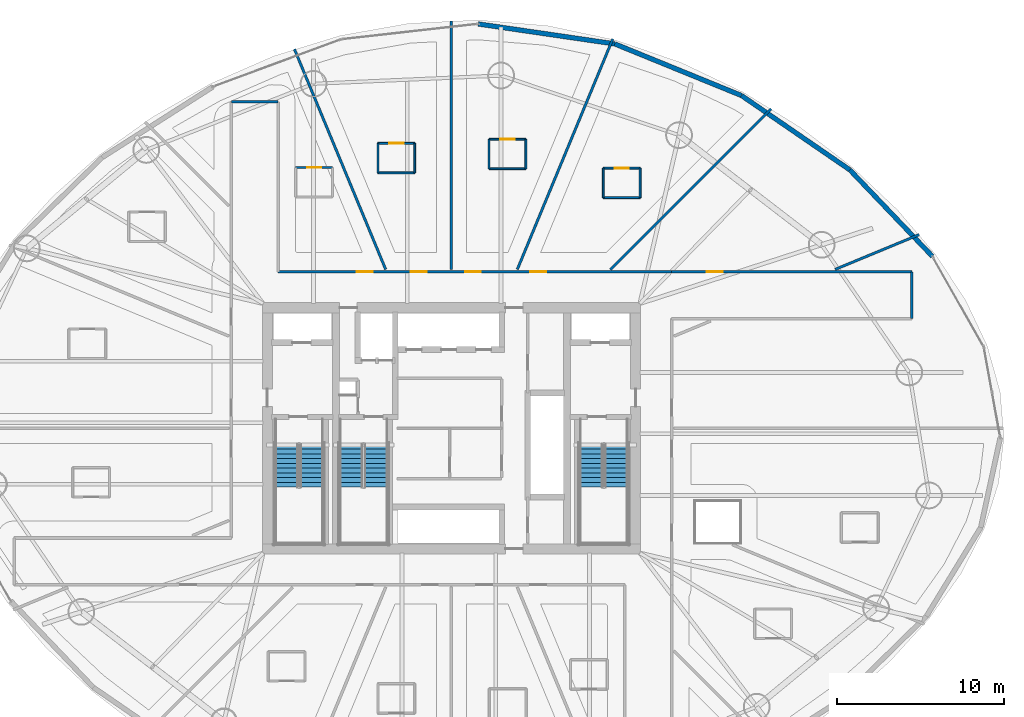
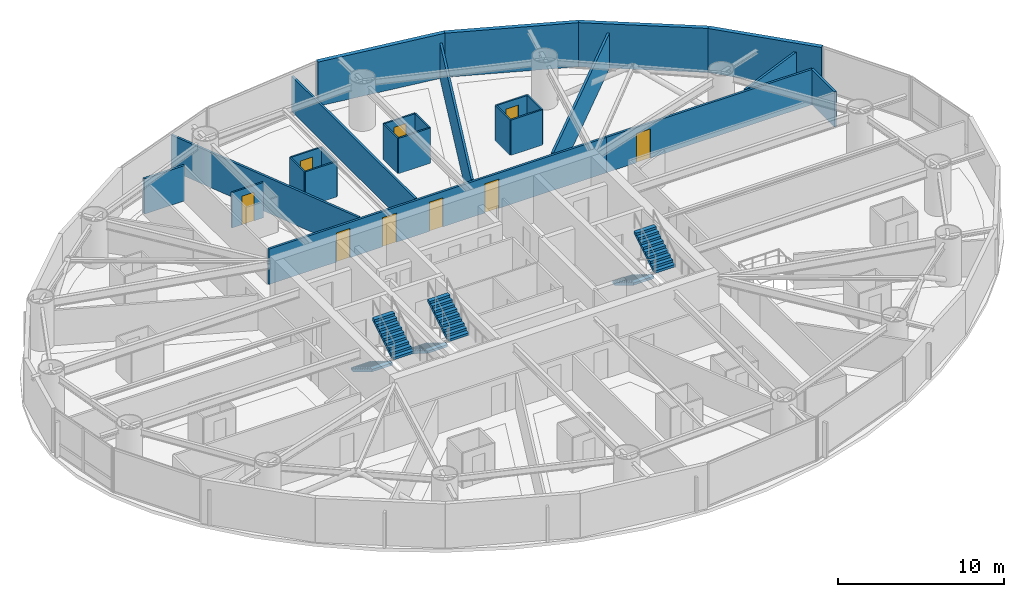
# One storey, part 22 of 27: 26 walls, 9 doors, 6 stair flights, 9 openings, 3 elements without a shape of their own.
"""IFC4 building model written with IfcOpenShell, lengths in metres."""

from ifc_helpers import new_model, si_unit, direction, frame, frame_2d, origin, place, context, subcontext, project, spatial, polyline, rectangle, outline, extrude, material, layer, layer_set, type_object, element, fill, aggregate, save


model = new_model("IFC4")

# Units and contexts
model_context = context("Model", 3, precision=1e-05, world=origin(), true_north=direction((0.0, 1.0)))
body_context = subcontext(model_context, "Body", "Model", "MODEL_VIEW")
ifc_project = project(units=[si_unit("LENGTHUNIT", "METRE"), si_unit("AREAUNIT", "SQUARE_METRE"), si_unit("VOLUMEUNIT", "CUBIC_METRE"), si_unit("PLANEANGLEUNIT", "RADIAN"), si_unit("MASSUNIT", "GRAM", prefix="KILO")], contexts=[model_context])

# Site, building, storey
site_placement = place(None, origin())
site = spatial("IfcSite", under=ifc_project, at=site_placement, CompositionType="ELEMENT")
building_placement = place(site_placement, origin())
building = spatial("IfcBuilding", under=site, at=building_placement, Name="Bramvorn Convention Spire", CompositionType="ELEMENT")
storey_placement = place(building_placement, frame((0.0, 0.0, 41.39990234375)))
storey = spatial("IfcBuildingStorey", under=building, at=storey_placement, Name="L07", CompositionType="ELEMENT", Elevation=41.39990234375)

# Walls
ifc_material_1 = material(Name="Precast Concrete C40/50 with Bronze Terracotta Rainscreen", Category="masonry")
ifc_layer_1 = layer(ifc_material_1, 0.300048828125)
ifc_layer_set_1 = layer_set([ifc_layer_1], Name="Precast Concrete C40/50 with Bronze Terracotta Rainscreen - WL-EXT-BRONZE-300")
wall_type_1 = type_object("IfcWallType", Name="WL-EXT-BRONZE-300", PredefinedType="SOLIDWALL", material=ifc_layer_set_1)
wall_1_placement = place(storey_placement, frame((61.78955078125, 41.4326171875, 0.0), z_axis=(0.0, 0.0, 1.0), x_axis=(0.690737462513, -0.723105633971, 0.0)))
element("IfcWall", 1, at=wall_1_placement, inside=storey, type_object=wall_type_1, Name="L07 expressed bronze Gothic lancet pier wall 03", PredefinedType="SOLIDWALL", context=body_context, shape_type="SweptSolid", body=[
    extrude(rectangle(XDim=7.142822265625, YDim=0.280029296875, at=frame_2d((3.5712890625, 0.0))), origin(), (0.0, 0.0, 1.0), 3.25),
])
wall_2_placement = place(storey_placement, frame((55.322021484375, 45.87255859375, 0.0), z_axis=(0.0, 0.0, 1.0), x_axis=(0.8244276505, -0.565967356913, 0.0)))
element("IfcWall", 2, at=wall_2_placement, inside=storey, type_object=wall_type_1, Name="L07 expressed bronze Gothic lancet pier wall 04", PredefinedType="SOLIDWALL", context=body_context, shape_type="SweptSolid", body=[
    extrude(rectangle(XDim=7.844970703125, YDim=0.280029296875, at=frame_2d((3.92236328125, 0.0))), origin(), (0.0, 0.0, 1.0), 3.25),
])
wall_3_placement = place(storey_placement, frame((47.755615234375, 48.95654296875, 0.0), z_axis=(0.0, 0.0, 1.0), x_axis=(0.926033573284, -0.377441149255, 0.0)))
element("IfcWall", 3, at=wall_3_placement, inside=storey, type_object=wall_type_1, Name="L07 expressed bronze Gothic lancet pier wall 05", PredefinedType="SOLIDWALL", context=body_context, shape_type="SweptSolid", body=[
    extrude(rectangle(XDim=8.170654296875, YDim=0.280029296875, at=frame_2d((4.08544921875, 0.0))), origin(), (0.0, 0.0, 1.0), 3.25),
])
wall_4_placement = place(storey_placement, frame((39.6005859375, 50.147216796875, 0.0), z_axis=(0.0, 0.0, 1.0), x_axis=(0.989508732112, -0.144473073871, 0.0)))
element("IfcWall", 4, at=wall_4_placement, inside=storey, type_object=wall_type_1, Name="L07 expressed bronze Gothic lancet pier wall 06", PredefinedType="SOLIDWALL", context=body_context, shape_type="SweptSolid", body=[
    extrude(rectangle(XDim=8.241455078125, YDim=0.280029296875, at=frame_2d((4.12060546875, 0.0))), origin(), (0.0, 0.0, 1.0), 3.25),
])
ifc_material_2 = material(Name="Lightweight En-Suite & Wet-Wall Partition", Category="gypsum")
ifc_layer_2 = layer(ifc_material_2, 0.110107421875)
ifc_layer_set_2 = layer_set([ifc_layer_2], Name="Lightweight En-Suite & Wet-Wall Partition - WL-PART-110")
wall_type_2 = type_object("IfcWallType", Name="WL-PART-110", PredefinedType="PARTITIONING", material=ifc_layer_set_2)
wall_5_placement = place(storey_placement, frame((47.0654296875, 39.777587890625, 0.0), z_axis=(0.0, 0.0, 1.0), x_axis=(1.0, 0.0, 0.0)))
element("IfcWall", 5, at=wall_5_placement, inside=storey, type_object=wall_type_2, Name="Hotel Suite 0703 en-suite south wall", PredefinedType="PARTITIONING", context=body_context, shape_type="SweptSolid", body=[
    extrude(rectangle(XDim=2.199951171875, YDim=0.110107421875, at=frame_2d((1.10009765625, 0.0))), origin(), (0.0, 0.0, 1.0), 2.60009765625),
])

# Wall, opening, door
wall_6_placement = place(storey_placement, frame((47.0654296875, 41.53759765625, 0.0), z_axis=(0.0, 0.0, 1.0), x_axis=(1.0, 0.0, 0.0)))
wall_6 = element("IfcWall", 6, at=wall_6_placement, inside=storey, type_object=wall_type_2, Name="Hotel Suite 0703 en-suite north wall", PredefinedType="PARTITIONING", context=body_context, shape_type="SweptSolid", body=[
    extrude(rectangle(XDim=2.199951171875, YDim=0.110107421875, at=frame_2d((1.10009765625, 0.0))), origin(), (0.0, 0.0, 1.0), 2.60009765625),
])
opening_1_placement = place(wall_6_placement, frame((0.679931640625, 0.0, 0.0)))
opening_1 = element("IfcOpeningElement", 7, at=opening_1_placement, cuts=wall_6, Name="Opening DI-085", PredefinedType="OPENING", context=body_context, shape_type="SweptSolid", body=[
    extrude(rectangle(XDim=0.85009765625, YDim=2.10009765625, at=frame_2d((0.425048828125, 1.050048828125))), frame((0.0, 0.06494140625, 0.0), z_axis=(0.0, -1.0, 0.0), x_axis=(1.0, 0.0, 0.0)), (0.0, 0.0, 1.0), 0.130126953125),
])
ifc_material_3 = material(Name="En-Suite & Restroom Privacy Door", Category="wood")
door_type_1 = type_object("IfcDoorType", Name="DR-INT-850", OperationType="NOTDEFINED", PredefinedType="DOOR", material=ifc_material_3)
door_1_placement = place(opening_1_placement, origin())
door_1 = element("IfcDoor", 8, at=door_1_placement, inside=storey, type_object=door_type_1, Name="Hotel Suite 0703 En-Suite Bathroom door", OperationType="SINGLE_SWING_LEFT", OverallHeight=2.10009765625, OverallWidth=0.85009765625, PredefinedType="DOOR", context=body_context, shape_type="SweptSolid", body=[
    extrude(rectangle(XDim=0.85009765625, YDim=2.10009765625, at=frame_2d((0.425048828125, 1.050048828125))), frame((0.0, 0.02490234375, 0.0), z_axis=(0.0, -1.0, 0.0), x_axis=(1.0, 0.0, 0.0)), (0.0, 0.0, 1.0), 0.050048828125),
])
fill(opening_1, door_1)

# Walls
for number, where, z_axis, x_axis, name in (
    (9, (47.0654296875, 39.777587890625, 0.0), (0.0, 0.0, 1.0), (0.0, 1.0, 0.0), "Hotel Suite 0703 en-suite west wall"),
    (10, (49.265380859375, 39.777587890625, 0.0), (0.0, 0.0, 1.0), (0.0, 1.0, 0.0), "Hotel Suite 0703 en-suite east wall"),
):
    element("IfcWall", number, at=place(storey_placement, frame(where, z_axis=z_axis, x_axis=x_axis)), inside=storey, type_object=wall_type_2, Name=name, PredefinedType="PARTITIONING", context=body_context, shape_type="SweptSolid", body=[
        extrude(rectangle(XDim=1.760009765625, YDim=0.110107421875, at=frame_2d((0.8798828125, 0.0))), origin(), (0.0, 0.0, 1.0), 2.60009765625),
    ])
wall_7_placement = place(storey_placement, frame((40.242919921875, 41.499755859375, 0.0), z_axis=(0.0, 0.0, 1.0), x_axis=(1.0, 0.0, 0.0)))
element("IfcWall", 11, at=wall_7_placement, inside=storey, type_object=wall_type_2, Name="Hotel Suite 0704 en-suite south wall", PredefinedType="PARTITIONING", context=body_context, shape_type="SweptSolid", body=[
    extrude(rectangle(XDim=2.199951171875, YDim=0.110107421875, at=frame_2d((1.10009765625, 0.0))), origin(), (0.0, 0.0, 1.0), 2.60009765625),
])

# Wall, opening, door
wall_8_placement = place(storey_placement, frame((40.242919921875, 43.259765625, 0.0), z_axis=(0.0, 0.0, 1.0), x_axis=(1.0, 0.0, 0.0)))
wall_8 = element("IfcWall", 12, at=wall_8_placement, inside=storey, type_object=wall_type_2, Name="Hotel Suite 0704 en-suite north wall", PredefinedType="PARTITIONING", context=body_context, shape_type="SweptSolid", body=[
    extrude(rectangle(XDim=2.199951171875, YDim=0.110107421875, at=frame_2d((1.10009765625, 0.0))), origin(), (0.0, 0.0, 1.0), 2.60009765625),
])
opening_2_placement = place(wall_8_placement, frame((0.679931640625, 0.0, 0.0)))
opening_2 = element("IfcOpeningElement", 13, at=opening_2_placement, cuts=wall_8, Name="Opening DI-085", PredefinedType="OPENING", context=body_context, shape_type="SweptSolid", body=[
    extrude(rectangle(XDim=0.85009765625, YDim=2.10009765625, at=frame_2d((0.425048828125, 1.050048828125))), frame((0.0, 0.06494140625, 0.0), z_axis=(0.0, -1.0, 0.0), x_axis=(1.0, 0.0, 0.0)), (0.0, 0.0, 1.0), 0.130126953125),
])
door_2_placement = place(opening_2_placement, origin())
door_2 = element("IfcDoor", 14, at=door_2_placement, inside=storey, type_object=door_type_1, Name="Hotel Suite 0704 En-Suite Bathroom door", OperationType="SINGLE_SWING_LEFT", OverallHeight=2.10009765625, OverallWidth=0.85009765625, PredefinedType="DOOR", context=body_context, shape_type="SweptSolid", body=[
    extrude(rectangle(XDim=0.85009765625, YDim=2.10009765625, at=frame_2d((0.425048828125, 1.050048828125))), frame((0.0, 0.02490234375, 0.0), z_axis=(0.0, -1.0, 0.0), x_axis=(1.0, 0.0, 0.0)), (0.0, 0.0, 1.0), 0.050048828125),
])
fill(opening_2, door_2)

# Walls
for number, where, z_axis, x_axis, name in (
    (15, (40.242919921875, 41.499755859375, 0.0), (0.0, 0.0, 1.0), (0.0, 1.0, 0.0), "Hotel Suite 0704 en-suite west wall"),
    (16, (42.44287109375, 41.499755859375, 0.0), (0.0, 0.0, 1.0), (0.0, 1.0, 0.0), "Hotel Suite 0704 en-suite east wall"),
):
    element("IfcWall", number, at=place(storey_placement, frame(where, z_axis=z_axis, x_axis=x_axis)), inside=storey, type_object=wall_type_2, Name=name, PredefinedType="PARTITIONING", context=body_context, shape_type="SweptSolid", body=[
        extrude(rectangle(XDim=1.760009765625, YDim=0.110107421875, at=frame_2d((0.8798828125, 0.0))), origin(), (0.0, 0.0, 1.0), 2.60009765625),
    ])
wall_9_placement = place(storey_placement, frame((33.607421875, 41.2568359375, 0.0), z_axis=(0.0, 0.0, 1.0), x_axis=(1.0, 0.0, 0.0)))
element("IfcWall", 17, at=wall_9_placement, inside=storey, type_object=wall_type_2, Name="Hotel Suite 0705 en-suite south wall", PredefinedType="PARTITIONING", context=body_context, shape_type="SweptSolid", body=[
    extrude(rectangle(XDim=2.199951171875, YDim=0.110107421875, at=frame_2d((1.10009765625, 0.0))), origin(), (0.0, 0.0, 1.0), 2.60009765625),
])

# Wall, opening, door
wall_10_placement = place(storey_placement, frame((33.607421875, 43.016845703125, 0.0), z_axis=(0.0, 0.0, 1.0), x_axis=(1.0, 0.0, 0.0)))
wall_10 = element("IfcWall", 18, at=wall_10_placement, inside=storey, type_object=wall_type_2, Name="Hotel Suite 0705 en-suite north wall", PredefinedType="PARTITIONING", context=body_context, shape_type="SweptSolid", body=[
    extrude(rectangle(XDim=2.199951171875, YDim=0.110107421875, at=frame_2d((1.10009765625, 0.0))), origin(), (0.0, 0.0, 1.0), 2.60009765625),
])
opening_3_placement = place(wall_10_placement, frame((0.679931640625, 0.0, 0.0)))
opening_3 = element("IfcOpeningElement", 19, at=opening_3_placement, cuts=wall_10, Name="Opening DI-085", PredefinedType="OPENING", context=body_context, shape_type="SweptSolid", body=[
    extrude(rectangle(XDim=0.85009765625, YDim=2.10009765625, at=frame_2d((0.425048828125, 1.050048828125))), frame((0.0, 0.06494140625, 0.0), z_axis=(0.0, -1.0, 0.0), x_axis=(1.0, 0.0, 0.0)), (0.0, 0.0, 1.0), 0.130126953125),
])
door_3_placement = place(opening_3_placement, origin())
door_3 = element("IfcDoor", 20, at=door_3_placement, inside=storey, type_object=door_type_1, Name="Hotel Suite 0705 En-Suite Bathroom door", OperationType="SINGLE_SWING_LEFT", OverallHeight=2.10009765625, OverallWidth=0.85009765625, PredefinedType="DOOR", context=body_context, shape_type="SweptSolid", body=[
    extrude(rectangle(XDim=0.85009765625, YDim=2.10009765625, at=frame_2d((0.425048828125, 1.050048828125))), frame((0.0, 0.02490234375, 0.0), z_axis=(0.0, -1.0, 0.0), x_axis=(1.0, 0.0, 0.0)), (0.0, 0.0, 1.0), 0.050048828125),
])
fill(opening_3, door_3)

# Walls
for number, where, z_axis, x_axis, name in (
    (21, (33.607421875, 41.2568359375, 0.0), (0.0, 0.0, 1.0), (0.0, 1.0, 0.0), "Hotel Suite 0705 en-suite west wall"),
    (22, (35.807373046875, 41.2568359375, 0.0), (0.0, 0.0, 1.0), (0.0, 1.0, 0.0), "Hotel Suite 0705 en-suite east wall"),
):
    element("IfcWall", number, at=place(storey_placement, frame(where, z_axis=z_axis, x_axis=x_axis)), inside=storey, type_object=wall_type_2, Name=name, PredefinedType="PARTITIONING", context=body_context, shape_type="SweptSolid", body=[
        extrude(rectangle(XDim=1.760009765625, YDim=0.110107421875, at=frame_2d((0.8798828125, 0.0))), origin(), (0.0, 0.0, 1.0), 2.60009765625),
    ])

# Wall, opening, door
wall_11_placement = place(storey_placement, frame((28.69189453125, 41.57568359375, 0.0), z_axis=(0.0, 0.0, 1.0), x_axis=(1.0, 0.0, 0.0)))
wall_11 = element("IfcWall", 23, at=wall_11_placement, inside=storey, type_object=wall_type_2, Name="Hotel Suite 0706 en-suite north wall", PredefinedType="PARTITIONING", context=body_context, shape_type="SweptSolid", body=[
    extrude(rectangle(XDim=2.2001953125, YDim=0.110107421875, at=frame_2d((1.10009765625, 0.0))), origin(), (0.0, 0.0, 1.0), 2.60009765625),
])
opening_4_placement = place(wall_11_placement, frame((0.679931640625, 0.0, 0.0)))
opening_4 = element("IfcOpeningElement", 24, at=opening_4_placement, cuts=wall_11, Name="Opening DI-085", PredefinedType="OPENING", context=body_context, shape_type="SweptSolid", body=[
    extrude(rectangle(XDim=0.85009765625, YDim=2.10009765625, at=frame_2d((0.425048828125, 1.050048828125))), frame((0.0, 0.06494140625, 0.0), z_axis=(0.0, -1.0, 0.0), x_axis=(1.0, 0.0, 0.0)), (0.0, 0.0, 1.0), 0.130126953125),
])
door_4_placement = place(opening_4_placement, origin())
door_4 = element("IfcDoor", 25, at=door_4_placement, inside=storey, type_object=door_type_1, Name="Hotel Suite 0706 En-Suite Bathroom door", OperationType="SINGLE_SWING_LEFT", OverallHeight=2.10009765625, OverallWidth=0.85009765625, PredefinedType="DOOR", context=body_context, shape_type="SweptSolid", body=[
    extrude(rectangle(XDim=0.85009765625, YDim=2.10009765625, at=frame_2d((0.425048828125, 1.050048828125))), frame((0.0, 0.02490234375, 0.0), z_axis=(0.0, -1.0, 0.0), x_axis=(1.0, 0.0, 0.0)), (0.0, 0.0, 1.0), 0.050048828125),
])
fill(opening_4, door_4)

# Wall, openings, doors
ifc_material_4 = material(Name="Acoustic Metal-Stud Tenant/Corridor Partition", Category="gypsum")
ifc_layer_3 = layer(ifc_material_4, 0.14990234375)
ifc_layer_set_3 = layer_set([ifc_layer_3], Name="Acoustic Metal-Stud Tenant/Corridor Partition - WL-PART-150")
wall_type_3 = type_object("IfcWallType", Name="WL-PART-150", PredefinedType="PARTITIONING", material=ifc_layer_set_3)
wall_12_placement = place(storey_placement, frame((27.64990234375, 35.35009765625, 0.0), z_axis=(0.0, 0.0, 1.0), x_axis=(1.0, 0.0, 0.0)))
wall_12 = element("IfcWall", 26, at=wall_12_placement, inside=storey, type_object=wall_type_3, Name="L07 North ring corridor wall", PredefinedType="PARTITIONING", context=body_context, shape_type="SweptSolid", body=[
    extrude(rectangle(XDim=23.5, YDim=0.14990234375, at=frame_2d((11.75, 0.0))), origin(), (0.0, 0.0, 1.0), 2.60009765625),
])
opening_5_placement = place(wall_12_placement, frame((15.045166015625, 0.0, 0.0)))
opening_5 = element("IfcOpeningElement", 27, at=opening_5_placement, cuts=wall_12, Name="Opening DH-095", PredefinedType="OPENING", context=body_context, shape_type="SweptSolid", body=[
    extrude(rectangle(XDim=0.949951171875, YDim=2.14990234375, at=frame_2d((0.47509765625, 1.074951171875))), frame((0.0, 0.0849609375, 0.0), z_axis=(0.0, -1.0, 0.0), x_axis=(1.0, 0.0, 0.0)), (0.0, 0.0, 1.0), 0.169921875),
])
opening_6_placement = place(wall_12_placement, frame((11.158935546875, 0.0, 0.0)))
opening_6 = element("IfcOpeningElement", 28, at=opening_6_placement, cuts=wall_12, Name="Opening DH-095", PredefinedType="OPENING", context=body_context, shape_type="SweptSolid", body=[
    extrude(rectangle(XDim=0.949951171875, YDim=2.14990234375, at=frame_2d((0.47509765625, 1.074951171875))), frame((0.0, 0.0849609375, 0.0), z_axis=(0.0, -1.0, 0.0), x_axis=(1.0, 0.0, 0.0)), (0.0, 0.0, 1.0), 0.169921875),
])
opening_7_placement = place(wall_12_placement, frame((7.91357421875, 0.0, 0.0)))
opening_7 = element("IfcOpeningElement", 29, at=opening_7_placement, cuts=wall_12, Name="Opening DH-095", PredefinedType="OPENING", context=body_context, shape_type="SweptSolid", body=[
    extrude(rectangle(XDim=0.949951171875, YDim=2.14990234375, at=frame_2d((0.47509765625, 1.074951171875))), frame((0.0, 0.0849609375, 0.0), z_axis=(0.0, -1.0, 0.0), x_axis=(1.0, 0.0, 0.0)), (0.0, 0.0, 1.0), 0.169921875),
])
opening_8_placement = place(wall_12_placement, frame((4.704833984375, 0.0, 0.0)))
opening_8 = element("IfcOpeningElement", 30, at=opening_8_placement, cuts=wall_12, Name="Opening DH-095", PredefinedType="OPENING", context=body_context, shape_type="SweptSolid", body=[
    extrude(rectangle(XDim=0.949951171875, YDim=2.14990234375, at=frame_2d((0.47509765625, 1.074951171875))), frame((0.0, 0.0849609375, 0.0), z_axis=(0.0, -1.0, 0.0), x_axis=(1.0, 0.0, 0.0)), (0.0, 0.0, 1.0), 0.169921875),
])
ifc_material_5 = material(Name="Solid-Core Acoustic Guestroom Entry Door", Category="wood")
door_type_2 = type_object("IfcDoorType", Name="DR-HOTEL-950", OperationType="NOTDEFINED", PredefinedType="DOOR", material=ifc_material_5)
door_5_placement = place(opening_5_placement, origin())
door_5 = element("IfcDoor", 31, at=door_5_placement, inside=storey, type_object=door_type_2, Name="Hotel Suite 0703 entry door", OperationType="SINGLE_SWING_RIGHT", OverallHeight=2.14990234375, OverallWidth=0.949951171875, PredefinedType="DOOR", context=body_context, shape_type="SweptSolid", body=[
    extrude(rectangle(XDim=0.949951171875, YDim=2.14990234375, at=frame_2d((0.47509765625, 1.074951171875))), frame((0.0, 0.02490234375, 0.0), z_axis=(0.0, -1.0, 0.0), x_axis=(1.0, 0.0, 0.0)), (0.0, 0.0, 1.0), 0.050048828125),
])
fill(opening_5, door_5)
door_6_placement = place(opening_6_placement, origin())
door_6 = element("IfcDoor", 32, at=door_6_placement, inside=storey, type_object=door_type_2, Name="Hotel Suite 0704 entry door", OperationType="SINGLE_SWING_RIGHT", OverallHeight=2.14990234375, OverallWidth=0.949951171875, PredefinedType="DOOR", context=body_context, shape_type="SweptSolid", body=[
    extrude(rectangle(XDim=0.949951171875, YDim=2.14990234375, at=frame_2d((0.47509765625, 1.074951171875))), frame((0.0, 0.02490234375, 0.0), z_axis=(0.0, -1.0, 0.0), x_axis=(1.0, 0.0, 0.0)), (0.0, 0.0, 1.0), 0.050048828125),
])
fill(opening_6, door_6)
door_7_placement = place(opening_7_placement, origin())
door_7 = element("IfcDoor", 33, at=door_7_placement, inside=storey, type_object=door_type_2, Name="Hotel Suite 0705 entry door", OperationType="SINGLE_SWING_LEFT", OverallHeight=2.14990234375, OverallWidth=0.949951171875, PredefinedType="DOOR", context=body_context, shape_type="SweptSolid", body=[
    extrude(rectangle(XDim=0.949951171875, YDim=2.14990234375, at=frame_2d((0.47509765625, 1.074951171875))), frame((0.0, 0.02490234375, 0.0), z_axis=(0.0, -1.0, 0.0), x_axis=(1.0, 0.0, 0.0)), (0.0, 0.0, 1.0), 0.050048828125),
])
fill(opening_7, door_7)
door_8_placement = place(opening_8_placement, origin())
door_8 = element("IfcDoor", 34, at=door_8_placement, inside=storey, type_object=door_type_2, Name="Hotel Suite 0706 entry door", OperationType="SINGLE_SWING_RIGHT", OverallHeight=2.14990234375, OverallWidth=0.949951171875, PredefinedType="DOOR", context=body_context, shape_type="SweptSolid", body=[
    extrude(rectangle(XDim=0.949951171875, YDim=2.14990234375, at=frame_2d((0.47509765625, 1.074951171875))), frame((0.0, 0.02490234375, 0.0), z_axis=(0.0, -1.0, 0.0), x_axis=(1.0, 0.0, 0.0)), (0.0, 0.0, 1.0), 0.050048828125),
])
fill(opening_8, door_8)

# Wall, opening, door
wall_13_placement = place(storey_placement, frame((51.14990234375, 35.35009765625, 0.0), z_axis=(0.0, 0.0, 1.0), x_axis=(1.0, 0.0, 0.0)))
wall_13 = element("IfcWall", 35, at=wall_13_placement, inside=storey, type_object=wall_type_3, Name="L07 NE pinwheel wing north wall", PredefinedType="PARTITIONING", context=body_context, shape_type="SweptSolid", body=[
    extrude(rectangle(XDim=14.35009765625, YDim=0.14990234375, at=frame_2d((7.175048828125, 0.0))), origin(), (0.0, 0.0, 1.0), 2.60009765625),
])
opening_9_placement = place(wall_13_placement, frame((2.08984375, 0.0, 0.0)))
opening_9 = element("IfcOpeningElement", 36, at=opening_9_placement, cuts=wall_13, Name="Opening DH-095", PredefinedType="OPENING", context=body_context, shape_type="SweptSolid", body=[
    extrude(rectangle(XDim=0.949951171875, YDim=2.14990234375, at=frame_2d((0.47509765625, 1.074951171875))), frame((0.0, 0.0849609375, 0.0), z_axis=(0.0, -1.0, 0.0), x_axis=(1.0, 0.0, 0.0)), (0.0, 0.0, 1.0), 0.169921875),
])
door_9_placement = place(opening_9_placement, origin())
door_9 = element("IfcDoor", 37, at=door_9_placement, inside=storey, type_object=door_type_2, Name="L07 Hospitality Lounge 2 door", OperationType="SINGLE_SWING_LEFT", OverallHeight=2.14990234375, OverallWidth=0.949951171875, PredefinedType="DOOR", context=body_context, shape_type="SweptSolid", body=[
    extrude(rectangle(XDim=0.949951171875, YDim=2.14990234375, at=frame_2d((0.47509765625, 1.074951171875))), frame((0.0, 0.02490234375, 0.0), z_axis=(0.0, -1.0, 0.0), x_axis=(1.0, 0.0, 0.0)), (0.0, 0.0, 1.0), 0.050048828125),
])
fill(opening_9, door_9)

# Walls
wall_14_placement = place(storey_placement, frame((65.5, 32.550048828125, 0.0), z_axis=(0.0, 0.0, 1.0), x_axis=(0.0, 1.0, 0.0)))
element("IfcWall", 38, at=wall_14_placement, inside=storey, type_object=wall_type_3, Name="L07 NE pinwheel end wall", PredefinedType="PARTITIONING", context=body_context, shape_type="SweptSolid", body=[
    extrude(rectangle(XDim=2.800048828125, YDim=0.14990234375, at=frame_2d((1.39990234375, 0.0))), origin(), (0.0, 0.0, 1.0), 2.60009765625),
])
wall_15_placement = place(storey_placement, frame((24.85009765625, 45.5, 0.0), z_axis=(0.0, 0.0, 1.0), x_axis=(1.0, 0.0, 0.0)))
element("IfcWall", 39, at=wall_15_placement, inside=storey, type_object=wall_type_3, Name="L07 NW pinwheel end wall", PredefinedType="PARTITIONING", context=body_context, shape_type="SweptSolid", body=[
    extrude(rectangle(XDim=2.7998046875, YDim=0.14990234375, at=frame_2d((1.39990234375, 0.0))), origin(), (0.0, 0.0, 1.0), 2.60009765625),
])
wall_16_placement = place(storey_placement, frame((60.910888671875, 35.489990234375, 0.0), z_axis=(0.0, 0.0, 1.0), x_axis=(0.923872299408, 0.382700894154, 0.0)))
element("IfcWall", 40, at=wall_16_placement, inside=storey, type_object=wall_type_3, Name="L07 Guestroom demising wall 2", PredefinedType="PARTITIONING", context=body_context, shape_type="SweptSolid", body=[
    extrude(rectangle(XDim=5.435302734375, YDim=0.14990234375, at=frame_2d((2.7177734375, 0.0))), origin(), (0.0, 0.0, 1.0), 2.60009765625),
])
wall_17_placement = place(storey_placement, frame((47.489990234375, 35.489990234375, 0.0), z_axis=(0.0, 0.0, 1.0), x_axis=(0.707106781187, 0.707106781187, 0.0)))
element("IfcWall", 41, at=wall_17_placement, inside=storey, type_object=wall_type_3, Name="L07 Guestroom demising wall 3", PredefinedType="PARTITIONING", context=body_context, shape_type="SweptSolid", body=[
    extrude(rectangle(XDim=13.5712890625, YDim=0.14990234375, at=frame_2d((6.78564453125, 0.0))), origin(), (0.0, 0.0, 1.0), 2.60009765625),
])
wall_18_placement = place(storey_placement, frame((41.930908203125, 35.489990234375, 0.0), z_axis=(0.0, 0.0, 1.0), x_axis=(0.382684181613, 0.923879222162, 0.0)))
element("IfcWall", 42, at=wall_18_placement, inside=storey, type_object=wall_type_3, Name="L07 Guestroom demising wall 4", PredefinedType="PARTITIONING", context=body_context, shape_type="SweptSolid", body=[
    extrude(rectangle(XDim=14.8984375, YDim=0.14990234375, at=frame_2d((7.44921875, 0.0))), origin(), (0.0, 0.0, 1.0), 2.60009765625),
])
wall_19_placement = place(storey_placement, frame((38.0, 35.489990234375, 0.0), z_axis=(0.0, 0.0, 1.0), x_axis=(0.0, 1.0, 0.0)))
element("IfcWall", 43, at=wall_19_placement, inside=storey, type_object=wall_type_3, Name="L07 Guestroom demising wall 5", PredefinedType="PARTITIONING", context=body_context, shape_type="SweptSolid", body=[
    extrude(rectangle(XDim=14.849365234375, YDim=0.14990234375, at=frame_2d((7.4248046875, 0.0))), origin(), (0.0, 0.0, 1.0), 2.60009765625),
])
wall_20_placement = place(storey_placement, frame((34.069091796875, 35.489990234375, 0.0), z_axis=(0.0, 0.0, 1.0), x_axis=(-0.38268890868, 0.923877264128, 0.0)))
element("IfcWall", 44, at=wall_20_placement, inside=storey, type_object=wall_type_3, Name="L07 Guestroom demising wall 6", PredefinedType="PARTITIONING", context=body_context, shape_type="SweptSolid", body=[
    extrude(rectangle(XDim=14.241943359375, YDim=0.14990234375, at=frame_2d((7.12109375, 0.0))), origin(), (0.0, 0.0, 1.0), 2.60009765625),
])

# Stair, stair flights
ifc_material_6 = material(Name="Concrete C40/50 Precast Stair", Category="concrete")
stair_type = type_object("IfcStairType", Name="ST-TOWER-1550", PredefinedType="HALF_TURN_STAIR", material=ifc_material_6)
stair_1_placement = place(storey_placement, origin())
stair_1 = element("IfcStair", 45, at=stair_1_placement, inside=storey, type_object=stair_type, Name="L07 Protected Exit Stair ST1", PredefinedType="HALF_TURN_STAIR")
ifc_material_7 = material(Name="Concrete C40/50 Precast Stair Flight", Category="concrete")
stair_flight_type = type_object("IfcStairFlightType", Name="STF-TOWER-1550", PredefinedType="STRAIGHT", material=ifc_material_7)
stair_flight_1_placement = place(storey_placement, frame((28.155029296875, 25.050048828125, 0.0), z_axis=(0.0, 0.0, 1.0), x_axis=(0.0, -1.0, 0.0)))
stair_flight_1 = element("IfcStairFlight", 46, at=stair_flight_1_placement, type_object=stair_flight_type, Name="ST1 flight 1", NumberOfRisers=10, NumberOfTreads=9, PredefinedType="STRAIGHT", RiserHeight=0.175, TreadLength=0.285, context=body_context, shape_type="SweptSolid", body=[
    extrude(outline(polyline([(0.0, 0.0), (0.0, 0.175048828125), (0.284912109375, 0.175048828125), (0.284912109375, 0.35009765625), (0.570068359375, 0.35009765625), (0.570068359375, 0.52490234375), (0.85498046875, 0.52490234375), (0.85498046875, 0.699951171875), (1.139892578125, 0.699951171875), (1.139892578125, 0.875), (1.425048828125, 0.875), (1.425048828125, 1.050048828125), (1.7099609375, 1.050048828125), (1.7099609375, 1.22509765625), (1.9951171875, 1.22509765625), (1.9951171875, 1.39990234375), (2.280029296875, 1.39990234375), (2.280029296875, 1.574951171875), (2.56494140625, 1.574951171875), (2.56494140625, 1.75), (2.56494140625, 1.399169921875), (0.286376953125, 0.0), (0.0, 0.0)])), frame((0.0, 0.705078125, 0.0), z_axis=(0.0, -1.0, 0.0), x_axis=(1.0, 0.0, 0.0)), (0.0, 0.0, 1.0), 1.409912109375),
])
stair_flight_2_placement = place(storey_placement, frame((29.64501953125, 22.485107421875, 1.75), z_axis=(0.0, 0.0, 1.0), x_axis=(0.0, 1.0, 0.0)))
stair_flight_2 = element("IfcStairFlight", 47, at=stair_flight_2_placement, type_object=stair_flight_type, Name="ST1 flight 2", NumberOfRisers=10, NumberOfTreads=9, PredefinedType="STRAIGHT", RiserHeight=0.175, TreadLength=0.285, context=body_context, shape_type="SweptSolid", body=[
    extrude(outline(polyline([(0.0, 0.0), (0.0, 0.175048828125), (0.284912109375, 0.175048828125), (0.284912109375, 0.35009765625), (0.570068359375, 0.35009765625), (0.570068359375, 0.52490234375), (0.85498046875, 0.52490234375), (0.85498046875, 0.699951171875), (1.139892578125, 0.699951171875), (1.139892578125, 0.875), (1.425048828125, 0.875), (1.425048828125, 1.050048828125), (1.7099609375, 1.050048828125), (1.7099609375, 1.22509765625), (1.9951171875, 1.22509765625), (1.9951171875, 1.39990234375), (2.280029296875, 1.39990234375), (2.280029296875, 1.574951171875), (2.56494140625, 1.574951171875), (2.56494140625, 1.75), (2.56494140625, 1.399169921875), (0.286376953125, 0.0), (0.0, 0.0)])), frame((0.0, 0.705078125, 0.0), z_axis=(0.0, -1.0, 0.0), x_axis=(1.0, 0.0, 0.0)), (0.0, 0.0, 1.0), 1.409912109375),
])
aggregate(stair_1, [stair_flight_1, stair_flight_2])

stair_2_placement = place(storey_placement, origin())
stair_2 = element("IfcStair", 48, at=stair_2_placement, inside=storey, type_object=stair_type, Name="L07 Protected Exit Stair ST2", PredefinedType="HALF_TURN_STAIR")
stair_flight_3_placement = place(storey_placement, frame((46.35498046875, 25.050048828125, 0.0), z_axis=(0.0, 0.0, 1.0), x_axis=(0.0, -1.0, 0.0)))
stair_flight_3 = element("IfcStairFlight", 49, at=stair_flight_3_placement, type_object=stair_flight_type, Name="ST2 flight 1", NumberOfRisers=10, NumberOfTreads=9, PredefinedType="STRAIGHT", RiserHeight=0.175, TreadLength=0.285, context=body_context, shape_type="SweptSolid", body=[
    extrude(outline(polyline([(0.0, 0.0), (0.0, 0.175048828125), (0.284912109375, 0.175048828125), (0.284912109375, 0.35009765625), (0.570068359375, 0.35009765625), (0.570068359375, 0.52490234375), (0.85498046875, 0.52490234375), (0.85498046875, 0.699951171875), (1.139892578125, 0.699951171875), (1.139892578125, 0.875), (1.425048828125, 0.875), (1.425048828125, 1.050048828125), (1.7099609375, 1.050048828125), (1.7099609375, 1.22509765625), (1.9951171875, 1.22509765625), (1.9951171875, 1.39990234375), (2.280029296875, 1.39990234375), (2.280029296875, 1.574951171875), (2.56494140625, 1.574951171875), (2.56494140625, 1.75), (2.56494140625, 1.399169921875), (0.286376953125, 0.0), (0.0, 0.0)])), frame((0.0, 0.705078125, 0.0), z_axis=(0.0, -1.0, 0.0), x_axis=(1.0, 0.0, 0.0)), (0.0, 0.0, 1.0), 1.409912109375),
])
stair_flight_4_placement = place(storey_placement, frame((47.844970703125, 22.485107421875, 1.75), z_axis=(0.0, 0.0, 1.0), x_axis=(0.0, 1.0, 0.0)))
stair_flight_4 = element("IfcStairFlight", 50, at=stair_flight_4_placement, type_object=stair_flight_type, Name="ST2 flight 2", NumberOfRisers=10, NumberOfTreads=9, PredefinedType="STRAIGHT", RiserHeight=0.175, TreadLength=0.285, context=body_context, shape_type="SweptSolid", body=[
    extrude(outline(polyline([(0.0, 0.0), (0.0, 0.175048828125), (0.284912109375, 0.175048828125), (0.284912109375, 0.35009765625), (0.570068359375, 0.35009765625), (0.570068359375, 0.52490234375), (0.85498046875, 0.52490234375), (0.85498046875, 0.699951171875), (1.139892578125, 0.699951171875), (1.139892578125, 0.875), (1.425048828125, 0.875), (1.425048828125, 1.050048828125), (1.7099609375, 1.050048828125), (1.7099609375, 1.22509765625), (1.9951171875, 1.22509765625), (1.9951171875, 1.39990234375), (2.280029296875, 1.39990234375), (2.280029296875, 1.574951171875), (2.56494140625, 1.574951171875), (2.56494140625, 1.75), (2.56494140625, 1.399169921875), (0.286376953125, 0.0), (0.0, 0.0)])), frame((0.0, 0.705078125, 0.0), z_axis=(0.0, -1.0, 0.0), x_axis=(1.0, 0.0, 0.0)), (0.0, 0.0, 1.0), 1.409912109375),
])
aggregate(stair_2, [stair_flight_3, stair_flight_4])

stair_3_placement = place(storey_placement, origin())
stair_3 = element("IfcStair", 51, at=stair_3_placement, inside=storey, type_object=stair_type, Name="L07 Protected Exit Stair ST3", PredefinedType="HALF_TURN_STAIR")
stair_flight_5_placement = place(storey_placement, frame((32.0048828125, 25.050048828125, 0.0), z_axis=(0.0, 0.0, 1.0), x_axis=(0.0, -1.0, 0.0)))
stair_flight_5 = element("IfcStairFlight", 52, at=stair_flight_5_placement, type_object=stair_flight_type, Name="ST3 flight 1", NumberOfRisers=10, NumberOfTreads=9, PredefinedType="STRAIGHT", RiserHeight=0.175, TreadLength=0.285, context=body_context, shape_type="SweptSolid", body=[
    extrude(outline(polyline([(0.0, 0.0), (0.0, 0.175048828125), (0.284912109375, 0.175048828125), (0.284912109375, 0.35009765625), (0.570068359375, 0.35009765625), (0.570068359375, 0.52490234375), (0.85498046875, 0.52490234375), (0.85498046875, 0.699951171875), (1.139892578125, 0.699951171875), (1.139892578125, 0.875), (1.425048828125, 0.875), (1.425048828125, 1.050048828125), (1.7099609375, 1.050048828125), (1.7099609375, 1.22509765625), (1.9951171875, 1.22509765625), (1.9951171875, 1.39990234375), (2.280029296875, 1.39990234375), (2.280029296875, 1.574951171875), (2.56494140625, 1.574951171875), (2.56494140625, 1.75), (2.56494140625, 1.399169921875), (0.286376953125, 0.0), (0.0, 0.0)])), frame((0.0, 0.705078125, 0.0), z_axis=(0.0, -1.0, 0.0), x_axis=(1.0, 0.0, 0.0)), (0.0, 0.0, 1.0), 1.409912109375),
])
stair_flight_6_placement = place(storey_placement, frame((33.4951171875, 22.485107421875, 1.75), z_axis=(0.0, 0.0, 1.0), x_axis=(0.0, 1.0, 0.0)))
stair_flight_6 = element("IfcStairFlight", 53, at=stair_flight_6_placement, type_object=stair_flight_type, Name="ST3 flight 2", NumberOfRisers=10, NumberOfTreads=9, PredefinedType="STRAIGHT", RiserHeight=0.175, TreadLength=0.285, context=body_context, shape_type="SweptSolid", body=[
    extrude(outline(polyline([(0.0, 0.0), (0.0, 0.175048828125), (0.284912109375, 0.175048828125), (0.284912109375, 0.35009765625), (0.570068359375, 0.35009765625), (0.570068359375, 0.52490234375), (0.85498046875, 0.52490234375), (0.85498046875, 0.699951171875), (1.139892578125, 0.699951171875), (1.139892578125, 0.875), (1.425048828125, 0.875), (1.425048828125, 1.050048828125), (1.7099609375, 1.050048828125), (1.7099609375, 1.22509765625), (1.9951171875, 1.22509765625), (1.9951171875, 1.39990234375), (2.280029296875, 1.39990234375), (2.280029296875, 1.574951171875), (2.56494140625, 1.574951171875), (2.56494140625, 1.75), (2.56494140625, 1.399169921875), (0.286376953125, 0.0), (0.0, 0.0)])), frame((0.0, 0.705078125, 0.0), z_axis=(0.0, -1.0, 0.0), x_axis=(1.0, 0.0, 0.0)), (0.0, 0.0, 1.0), 1.409912109375),
])
aggregate(stair_3, [stair_flight_5, stair_flight_6])

save(model, "model.ifc")
